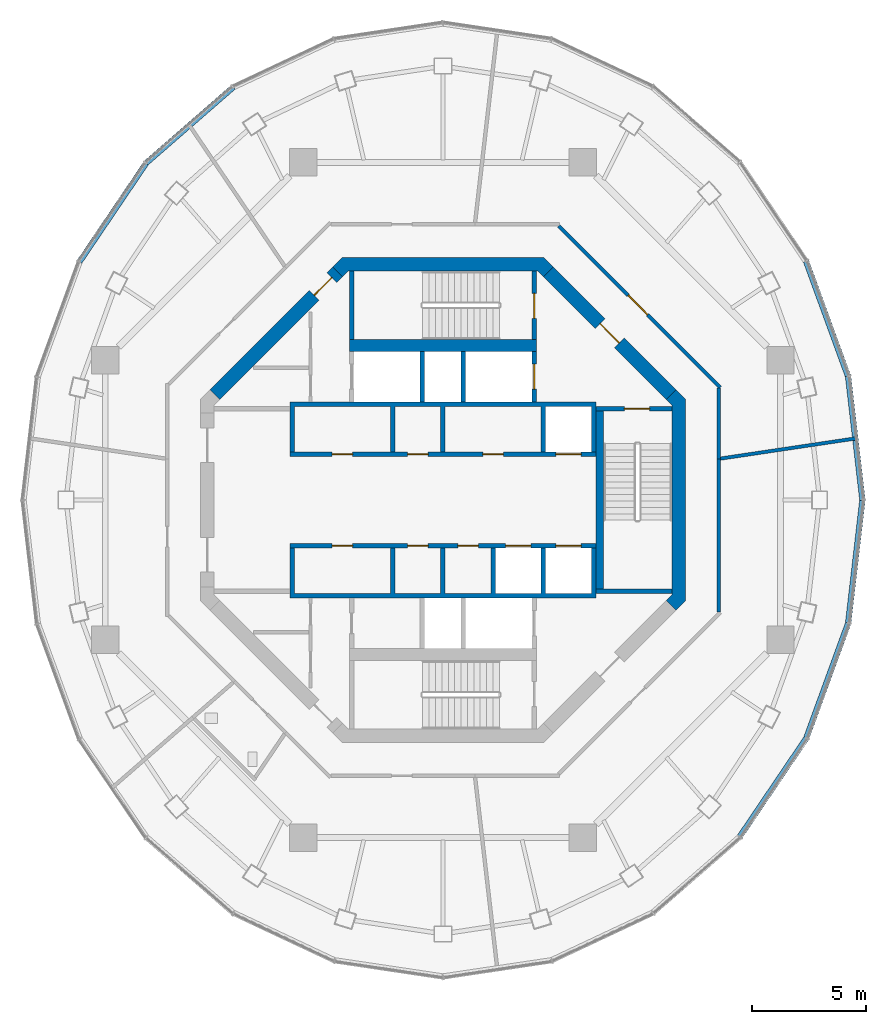
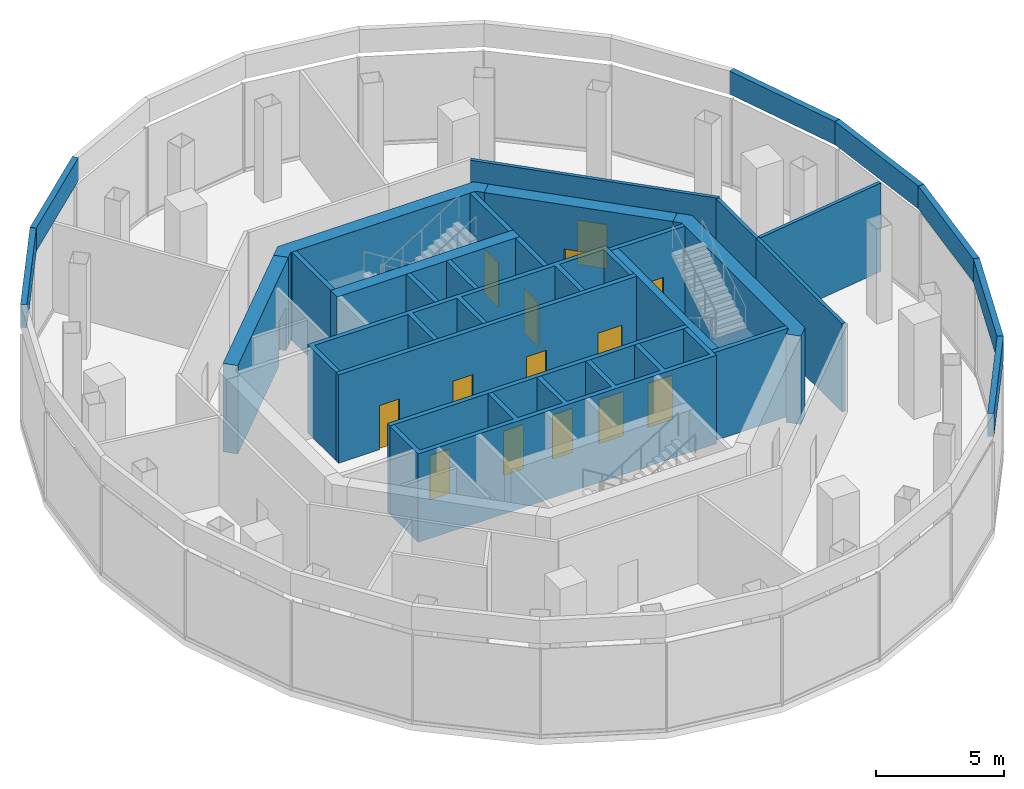
# One storey, part 8 of 11: 28 walls, 15 doors, 15 openings.
"""IFC4 building model written with IfcOpenShell, lengths in metres."""

from ifc_helpers import new_model, si_unit, direction, frame, frame_2d, origin, place, context, subcontext, project, spatial, polyline, rectangle, outline, extrude, material, layer, layer_set, type_object, element, fill, save


model = new_model("IFC4")

# Units and contexts
model_context = context("Model", 3, precision=1e-05, world=origin(), true_north=direction((0.0, 1.0)))
body_context = subcontext(model_context, "Body", "Model", "MODEL_VIEW")
ifc_project = project(units=[si_unit("LENGTHUNIT", "METRE"), si_unit("AREAUNIT", "SQUARE_METRE"), si_unit("VOLUMEUNIT", "CUBIC_METRE"), si_unit("PLANEANGLEUNIT", "RADIAN"), si_unit("MASSUNIT", "GRAM", prefix="KILO")], contexts=[model_context])

# Site, building, storey
site_placement = place(None, origin())
site = spatial("IfcSite", under=ifc_project, at=site_placement, CompositionType="ELEMENT")
building_placement = place(site_placement, origin())
building = spatial("IfcBuilding", under=site, at=building_placement, Name="Nagisa Residences", CompositionType="ELEMENT")
storey_placement = place(building_placement, frame((0.0, 0.0, 320.39990234375)))
storey = spatial("IfcBuildingStorey", under=building, at=storey_placement, Name="L79", CompositionType="ELEMENT", Elevation=320.39990234375)

# Wall, opening, door
ifc_material_1 = material(Name="Concrete C60", Category="concrete")
ifc_layer_1 = layer(ifc_material_1, 0.60009765625)
ifc_layer_set_1 = layer_set([ifc_layer_1], Name="Core shear wall 600")
wall_type_1 = type_object("IfcWallType", Name="Core shear wall 600", PredefinedType="SHEAR", material=ifc_layer_set_1)
wall_1_placement = place(storey_placement, frame((9.98828125, 4.613037109375, 0.0), z_axis=(0.0, 0.0, 1.0), x_axis=(-0.707106781187, 0.707106781187, 0.0)))
wall_1 = element("IfcWall", 1, at=wall_1_placement, inside=storey, type_object=wall_type_1, Name="wall:L79:core:flat1", PredefinedType="SHEAR", context=body_context, shape_type="SweptSolid", body=[
    extrude(rectangle(XDim=7.601806640625, YDim=0.60009765625, at=frame_2d((3.80078125, 0.0))), origin(), (0.0, 0.0, 1.0), 4.2001953125),
])
opening_1_placement = place(wall_1_placement, frame((3.200927734375, 0.0, 0.0)))
opening_1 = element("IfcOpeningElement", 2, at=opening_1_placement, cuts=wall_1, Name="Opening L79-C21", PredefinedType="OPENING", context=body_context, shape_type="SweptSolid", body=[
    extrude(rectangle(XDim=1.199951171875, YDim=2.10009765625, at=frame_2d((0.60009765625, 1.050048828125))), frame((0.0, 0.31005859375, 0.0), z_axis=(0.0, -1.0, 0.0), x_axis=(1.0, 0.0, 0.0)), (0.0, 0.0, 1.0), 0.6201171875),
])
ifc_material_2 = material(Name="Steel fire door", Category="steel")
door_type_1 = type_object("IfcDoorType", Name="Fire door EI60 1200x2100 single swing", OperationType="NOTDEFINED", PredefinedType="DOOR", material=ifc_material_2)
door_1_placement = place(opening_1_placement, origin())
door_1 = element("IfcDoor", 3, at=door_1_placement, inside=storey, type_object=door_type_1, Name="Firefighting lobby 1 door L79", OperationType="SINGLE_SWING_LEFT", OverallHeight=2.10009765625, OverallWidth=1.199951171875, PredefinedType="DOOR", context=body_context, shape_type="SweptSolid", body=[
    extrude(rectangle(XDim=1.199951171875, YDim=2.10009765625, at=frame_2d((0.60009765625, 1.050048828125))), frame((0.0, 0.02490234375, 0.0), z_axis=(0.0, -1.0, 0.0), x_axis=(1.0, 0.0, 0.0)), (0.0, 0.0, 1.0), 0.050048828125),
])
fill(opening_1, door_1)

wall_2_placement = place(storey_placement, frame((-4.613037109375, 9.98828125, 0.0), z_axis=(0.0, 0.0, 1.0), x_axis=(-0.707106781187, -0.707106781187, 0.0)))
wall_2 = element("IfcWall", 4, at=wall_2_placement, inside=storey, type_object=wall_type_1, Name="wall:L79:core:flat3", PredefinedType="SHEAR", context=body_context, shape_type="SweptSolid", body=[
    extrude(rectangle(XDim=7.601806640625, YDim=0.60009765625, at=frame_2d((3.80078125, 0.0))), origin(), (0.0, 0.0, 1.0), 4.2001953125),
])
opening_2_placement = place(wall_2_placement, frame((0.350830078125, 0.0, 0.0)))
opening_2 = element("IfcOpeningElement", 5, at=opening_2_placement, cuts=wall_2, Name="Opening L79-C25", PredefinedType="OPENING", context=body_context, shape_type="SweptSolid", body=[
    extrude(rectangle(XDim=1.10009765625, YDim=2.10009765625, at=frame_2d((0.550048828125, 1.050048828125))), frame((0.0, 0.31005859375, 0.0), z_axis=(0.0, -1.0, 0.0), x_axis=(1.0, 0.0, 0.0)), (0.0, 0.0, 1.0), 0.6201171875),
])
ifc_material_3 = material(Name="Steel fire door", Category="steel")
door_type_2 = type_object("IfcDoorType", Name="Fire door EI60 1100x2100 single swing", OperationType="NOTDEFINED", PredefinedType="DOOR", material=ifc_material_3)
door_2_placement = place(opening_2_placement, origin())
door_2 = element("IfcDoor", 6, at=door_2_placement, inside=storey, type_object=door_type_2, Name="Service lobby door L79", OperationType="SINGLE_SWING_LEFT", OverallHeight=2.10009765625, OverallWidth=1.10009765625, PredefinedType="DOOR", context=body_context, shape_type="SweptSolid", body=[
    extrude(rectangle(XDim=1.10009765625, YDim=2.10009765625, at=frame_2d((0.550048828125, 1.050048828125))), frame((0.0, 0.02490234375, 0.0), z_axis=(0.0, -1.0, 0.0), x_axis=(1.0, 0.0, 0.0)), (0.0, 0.0, 1.0), 0.050048828125),
])
fill(opening_2, door_2)

# Walls
wall_3_placement = place(storey_placement, origin())
element("IfcWall", 7, at=wall_3_placement, inside=storey, type_object=wall_type_1, Name="wall:L79:core:flat2", PredefinedType="SHEAR", context=body_context, shape_type="SweptSolid", body=[
    extrude(outline(polyline([(-4.15234375, 10.024658203125), (-4.40087890625, 9.776123046875), (-4.8251953125, 10.200439453125), (-4.40087890625, 10.62451171875), (4.40087890625, 10.62451171875), (4.8251953125, 10.200439453125), (4.40087890625, 9.776123046875), (4.15234375, 10.024658203125), (-4.15234375, 10.024658203125)])), origin(), (0.0, 0.0, 1.0), 4.2001953125),
])
wall_4_placement = place(storey_placement, origin())
element("IfcWall", 8, at=wall_4_placement, inside=storey, type_object=wall_type_1, Name="wall:L79:core:flat0", PredefinedType="SHEAR", context=body_context, shape_type="SweptSolid", body=[
    extrude(outline(polyline([(9.776123046875, -4.40087890625), (10.024658203125, -4.15234375), (10.024658203125, -3.801025390625), (10.024658203125, 4.15234375), (9.776123046875, 4.40087890625), (10.200439453125, 4.8251953125), (10.62451171875, 4.40087890625), (10.62451171875, -4.40087890625), (10.200439453125, -4.8251953125), (9.776123046875, -4.40087890625)])), origin(), (0.0, 0.0, 1.0), 4.2001953125),
])

# Wall, opening, door
ifc_material_4 = material(Name="Concrete C60", Category="concrete")
ifc_layer_2 = layer(ifc_material_4, 0.199951171875)
ifc_layer_set_2 = layer_set([ifc_layer_2], Name="Lift shaft wall 200")
wall_type_2 = type_object("IfcWallType", Name="Lift shaft wall 200", PredefinedType="SOLIDWALL", material=ifc_layer_set_2)
wall_5_placement = place(storey_placement, frame((4.0, 4.300048828125, 0.0), z_axis=(0.0, 0.0, 1.0), x_axis=(0.0, 1.0, 0.0)))
wall_5 = element("IfcWall", 9, at=wall_5_placement, inside=storey, type_object=wall_type_2, Name="wall:L79:Nb3", PredefinedType="SOLIDWALL", context=body_context, shape_type="SweptSolid", body=[
    extrude(rectangle(XDim=2.199951171875, YDim=0.199951171875, at=frame_2d((1.10009765625, 0.0))), origin(), (0.0, 0.0, 1.0), 4.2001953125),
])
opening_3_placement = place(wall_5_placement, frame((0.550048828125, 0.0, 0.0)))
opening_3 = element("IfcOpeningElement", 10, at=opening_3_placement, cuts=wall_5, Name="Opening L79-C04", PredefinedType="OPENING", context=body_context, shape_type="SweptSolid", body=[
    extrude(rectangle(XDim=1.10009765625, YDim=2.10009765625, at=frame_2d((0.550048828125, 1.050048828125))), frame((0.0, 0.10986328125, 0.0), z_axis=(0.0, -1.0, 0.0), x_axis=(1.0, 0.0, 0.0)), (0.0, 0.0, 1.0), 0.219970703125),
])
ifc_material_5 = material(Name="Stainless steel", Category="steel")
door_type_3 = type_object("IfcDoorType", Name="Lift landing door 1100x2100", OperationType="DOUBLE_DOOR_SLIDING", PredefinedType="DOOR", material=ifc_material_5)
door_3_placement = place(opening_3_placement, origin())
door_3 = element("IfcDoor", 11, at=door_3_placement, inside=storey, type_object=door_type_3, Name="Landing door FL1 L79", OperationType="DOUBLE_DOOR_SLIDING", OverallHeight=2.10009765625, OverallWidth=1.10009765625, PredefinedType="DOOR", context=body_context, shape_type="SweptSolid", body=[
    extrude(rectangle(XDim=1.10009765625, YDim=2.10009765625, at=frame_2d((0.550048828125, 1.050048828125))), frame((0.0, 0.02490234375, 0.0), z_axis=(0.0, -1.0, 0.0), x_axis=(1.0, 0.0, 0.0)), (0.0, 0.0, 1.0), 0.050048828125),
])
fill(opening_3, door_3)

# Wall, openings, doors
wall_6_placement = place(storey_placement, frame((-6.699951171875, 2.0, 0.0), z_axis=(0.0, 0.0, 1.0), x_axis=(1.0, 0.0, 0.0)))
wall_6 = element("IfcWall", 12, at=wall_6_placement, inside=storey, type_object=wall_type_2, Name="wall:L79:Nfront", PredefinedType="SOLIDWALL", context=body_context, shape_type="SweptSolid", body=[
    extrude(rectangle(XDim=13.39990234375, YDim=0.199951171875, at=frame_2d((6.699951171875, 0.0))), origin(), (0.0, 0.0, 1.0), 4.2001953125),
])
opening_4_placement = place(wall_6_placement, frame((11.64990234375, 0.0, 0.0)))
opening_4 = element("IfcOpeningElement", 13, at=opening_4_placement, cuts=wall_6, Name="Opening L79-C01", PredefinedType="OPENING", context=body_context, shape_type="SweptSolid", body=[
    extrude(rectangle(XDim=1.10009765625, YDim=2.10009765625, at=frame_2d((0.550048828125, 1.050048828125))), frame((0.0, 0.10986328125, 0.0), z_axis=(0.0, -1.0, 0.0), x_axis=(1.0, 0.0, 0.0)), (0.0, 0.0, 1.0), 0.219970703125),
])
opening_5_placement = place(wall_6_placement, frame((1.85009765625, 0.0, 0.0)))
opening_5 = element("IfcOpeningElement", 14, at=opening_5_placement, cuts=wall_6, Name="Opening L79-C15", PredefinedType="OPENING", context=body_context, shape_type="SweptSolid", body=[
    extrude(rectangle(XDim=0.89990234375, YDim=2.10009765625, at=frame_2d((0.449951171875, 1.050048828125))), frame((0.0, 0.10986328125, 0.0), z_axis=(0.0, -1.0, 0.0), x_axis=(1.0, 0.0, 0.0)), (0.0, 0.0, 1.0), 0.219970703125),
])
opening_6_placement = place(wall_6_placement, frame((5.14990234375, 0.0, 0.0)))
opening_6 = element("IfcOpeningElement", 15, at=opening_6_placement, cuts=wall_6, Name="Opening L79-C16", PredefinedType="OPENING", context=body_context, shape_type="SweptSolid", body=[
    extrude(rectangle(XDim=0.89990234375, YDim=2.10009765625, at=frame_2d((0.449951171875, 1.050048828125))), frame((0.0, 0.10986328125, 0.0), z_axis=(0.0, -1.0, 0.0), x_axis=(1.0, 0.0, 0.0)), (0.0, 0.0, 1.0), 0.219970703125),
])
opening_7_placement = place(wall_6_placement, frame((8.449951171875, 0.0, 0.0)))
opening_7 = element("IfcOpeningElement", 16, at=opening_7_placement, cuts=wall_6, Name="Opening L79-C17", PredefinedType="OPENING", context=body_context, shape_type="SweptSolid", body=[
    extrude(rectangle(XDim=0.89990234375, YDim=2.10009765625, at=frame_2d((0.449951171875, 1.050048828125))), frame((0.0, 0.10986328125, 0.0), z_axis=(0.0, -1.0, 0.0), x_axis=(1.0, 0.0, 0.0)), (0.0, 0.0, 1.0), 0.219970703125),
])
ifc_material_6 = material(Name="Steel fire door", Category="steel")
door_type_4 = type_object("IfcDoorType", Name="Fire door EI30 900x2100 single swing", OperationType="NOTDEFINED", PredefinedType="DOOR", material=ifc_material_6)
door_4_placement = place(opening_5_placement, origin())
door_4 = element("IfcDoor", 17, at=door_4_placement, inside=storey, type_object=door_type_4, Name="Chiller store door L79", OperationType="SINGLE_SWING_LEFT", OverallHeight=2.10009765625, OverallWidth=0.89990234375, PredefinedType="DOOR", context=body_context, shape_type="SweptSolid", body=[
    extrude(rectangle(XDim=0.89990234375, YDim=2.10009765625, at=frame_2d((0.449951171875, 1.050048828125))), frame((0.0, 0.02490234375, 0.0), z_axis=(0.0, -1.0, 0.0), x_axis=(1.0, 0.0, 0.0)), (0.0, 0.0, 1.0), 0.050048828125),
])
fill(opening_5, door_4)
door_5_placement = place(opening_6_placement, origin())
door_5 = element("IfcDoor", 18, at=door_5_placement, inside=storey, type_object=door_type_4, Name="Electrical room door L79", OperationType="SINGLE_SWING_LEFT", OverallHeight=2.10009765625, OverallWidth=0.89990234375, PredefinedType="DOOR", context=body_context, shape_type="SweptSolid", body=[
    extrude(rectangle(XDim=0.89990234375, YDim=2.10009765625, at=frame_2d((0.449951171875, 1.050048828125))), frame((0.0, 0.02490234375, 0.0), z_axis=(0.0, -1.0, 0.0), x_axis=(1.0, 0.0, 0.0)), (0.0, 0.0, 1.0), 0.050048828125),
])
fill(opening_6, door_5)
door_6_placement = place(opening_7_placement, origin())
door_6 = element("IfcDoor", 19, at=door_6_placement, inside=storey, type_object=door_type_4, Name="Chiller store door L79", OperationType="SINGLE_SWING_LEFT", OverallHeight=2.10009765625, OverallWidth=0.89990234375, PredefinedType="DOOR", context=body_context, shape_type="SweptSolid", body=[
    extrude(rectangle(XDim=0.89990234375, YDim=2.10009765625, at=frame_2d((0.449951171875, 1.050048828125))), frame((0.0, 0.02490234375, 0.0), z_axis=(0.0, -1.0, 0.0), x_axis=(1.0, 0.0, 0.0)), (0.0, 0.0, 1.0), 0.050048828125),
])
fill(opening_7, door_6)
door_7_placement = place(opening_4_placement, origin())
door_7 = element("IfcDoor", 20, at=door_7_placement, inside=storey, type_object=door_type_3, Name="Landing door C1 L79", OperationType="DOUBLE_DOOR_SLIDING", OverallHeight=2.10009765625, OverallWidth=1.10009765625, PredefinedType="DOOR", context=body_context, shape_type="SweptSolid", body=[
    extrude(rectangle(XDim=1.10009765625, YDim=2.10009765625, at=frame_2d((0.550048828125, 1.050048828125))), frame((0.0, 0.02490234375, 0.0), z_axis=(0.0, -1.0, 0.0), x_axis=(1.0, 0.0, 0.0)), (0.0, 0.0, 1.0), 0.050048828125),
])
fill(opening_4, door_7)

wall_7_placement = place(storey_placement, frame((-6.699951171875, -2.0, 0.0), z_axis=(0.0, 0.0, 1.0), x_axis=(1.0, 0.0, 0.0)))
wall_7 = element("IfcWall", 21, at=wall_7_placement, inside=storey, type_object=wall_type_2, Name="wall:L79:Sfront", PredefinedType="SOLIDWALL", context=body_context, shape_type="SweptSolid", body=[
    extrude(rectangle(XDim=13.39990234375, YDim=0.199951171875, at=frame_2d((6.699951171875, 0.0))), origin(), (0.0, 0.0, 1.0), 4.2001953125),
])
opening_8_placement = place(wall_7_placement, frame((9.449951171875, 0.0, 0.0)))
opening_8 = element("IfcOpeningElement", 22, at=opening_8_placement, cuts=wall_7, Name="Opening L79-C02", PredefinedType="OPENING", context=body_context, shape_type="SweptSolid", body=[
    extrude(rectangle(XDim=1.10009765625, YDim=2.10009765625, at=frame_2d((0.550048828125, 1.050048828125))), frame((0.0, 0.10986328125, 0.0), z_axis=(0.0, -1.0, 0.0), x_axis=(1.0, 0.0, 0.0)), (0.0, 0.0, 1.0), 0.219970703125),
])
opening_9_placement = place(wall_7_placement, frame((11.64990234375, 0.0, 0.0)))
opening_9 = element("IfcOpeningElement", 23, at=opening_9_placement, cuts=wall_7, Name="Opening L79-C03", PredefinedType="OPENING", context=body_context, shape_type="SweptSolid", body=[
    extrude(rectangle(XDim=1.10009765625, YDim=2.10009765625, at=frame_2d((0.550048828125, 1.050048828125))), frame((0.0, 0.10986328125, 0.0), z_axis=(0.0, -1.0, 0.0), x_axis=(1.0, 0.0, 0.0)), (0.0, 0.0, 1.0), 0.219970703125),
])
opening_10_placement = place(wall_7_placement, frame((1.85009765625, 0.0, 0.0)))
opening_10 = element("IfcOpeningElement", 24, at=opening_10_placement, cuts=wall_7, Name="Opening L79-C18", PredefinedType="OPENING", context=body_context, shape_type="SweptSolid", body=[
    extrude(rectangle(XDim=0.89990234375, YDim=2.10009765625, at=frame_2d((0.449951171875, 1.050048828125))), frame((0.0, 0.10986328125, 0.0), z_axis=(0.0, -1.0, 0.0), x_axis=(1.0, 0.0, 0.0)), (0.0, 0.0, 1.0), 0.219970703125),
])
opening_11_placement = place(wall_7_placement, frame((5.14990234375, 0.0, 0.0)))
opening_11 = element("IfcOpeningElement", 25, at=opening_11_placement, cuts=wall_7, Name="Opening L79-C19", PredefinedType="OPENING", context=body_context, shape_type="SweptSolid", body=[
    extrude(rectangle(XDim=0.89990234375, YDim=2.10009765625, at=frame_2d((0.449951171875, 1.050048828125))), frame((0.0, 0.10986328125, 0.0), z_axis=(0.0, -1.0, 0.0), x_axis=(1.0, 0.0, 0.0)), (0.0, 0.0, 1.0), 0.219970703125),
])
opening_12_placement = place(wall_7_placement, frame((7.35009765625, 0.0, 0.0)))
opening_12 = element("IfcOpeningElement", 26, at=opening_12_placement, cuts=wall_7, Name="Opening L79-C20", PredefinedType="OPENING", context=body_context, shape_type="SweptSolid", body=[
    extrude(rectangle(XDim=0.89990234375, YDim=2.10009765625, at=frame_2d((0.449951171875, 1.050048828125))), frame((0.0, 0.10986328125, 0.0), z_axis=(0.0, -1.0, 0.0), x_axis=(1.0, 0.0, 0.0)), (0.0, 0.0, 1.0), 0.219970703125),
])
door_8_placement = place(opening_10_placement, frame((0.89990234375, 0.0, 0.0), x_axis=(-1.0, 0.0, 0.0)))
door_8 = element("IfcDoor", 27, at=door_8_placement, inside=storey, type_object=door_type_4, Name="Electrical room door L79", OperationType="SINGLE_SWING_RIGHT", OverallHeight=2.10009765625, OverallWidth=0.89990234375, PredefinedType="DOOR", context=body_context, shape_type="SweptSolid", body=[
    extrude(rectangle(XDim=0.89990234375, YDim=2.10009765625, at=frame_2d((0.449951171875, 1.050048828125))), frame((0.0, 0.02490234375, 0.0), z_axis=(0.0, -1.0, 0.0), x_axis=(1.0, 0.0, 0.0)), (0.0, 0.0, 1.0), 0.050048828125),
])
fill(opening_10, door_8)
door_9_placement = place(opening_11_placement, frame((0.89990234375, 0.0, 0.0), x_axis=(-1.0, 0.0, 0.0)))
door_9 = element("IfcDoor", 28, at=door_9_placement, inside=storey, type_object=door_type_4, Name="Chiller store door L79", OperationType="SINGLE_SWING_RIGHT", OverallHeight=2.10009765625, OverallWidth=0.89990234375, PredefinedType="DOOR", context=body_context, shape_type="SweptSolid", body=[
    extrude(rectangle(XDim=0.89990234375, YDim=2.10009765625, at=frame_2d((0.449951171875, 1.050048828125))), frame((0.0, 0.02490234375, 0.0), z_axis=(0.0, -1.0, 0.0), x_axis=(1.0, 0.0, 0.0)), (0.0, 0.0, 1.0), 0.050048828125),
])
fill(opening_11, door_9)
door_10_placement = place(opening_12_placement, frame((0.89990234375, 0.0, 0.0), x_axis=(-1.0, 0.0, 0.0)))
door_10 = element("IfcDoor", 29, at=door_10_placement, inside=storey, type_object=door_type_4, Name="Electrical room door L79", OperationType="SINGLE_SWING_RIGHT", OverallHeight=2.10009765625, OverallWidth=0.89990234375, PredefinedType="DOOR", context=body_context, shape_type="SweptSolid", body=[
    extrude(rectangle(XDim=0.89990234375, YDim=2.10009765625, at=frame_2d((0.449951171875, 1.050048828125))), frame((0.0, 0.02490234375, 0.0), z_axis=(0.0, -1.0, 0.0), x_axis=(1.0, 0.0, 0.0)), (0.0, 0.0, 1.0), 0.050048828125),
])
fill(opening_12, door_10)
door_11_placement = place(opening_8_placement, origin())
door_11 = element("IfcDoor", 30, at=door_11_placement, inside=storey, type_object=door_type_3, Name="Landing door C2 L79", OperationType="DOUBLE_DOOR_SLIDING", OverallHeight=2.10009765625, OverallWidth=1.10009765625, PredefinedType="DOOR", context=body_context, shape_type="SweptSolid", body=[
    extrude(rectangle(XDim=1.10009765625, YDim=2.10009765625, at=frame_2d((0.550048828125, 1.050048828125))), frame((0.0, 0.02490234375, 0.0), z_axis=(0.0, -1.0, 0.0), x_axis=(1.0, 0.0, 0.0)), (0.0, 0.0, 1.0), 0.050048828125),
])
fill(opening_8, door_11)
door_12_placement = place(opening_9_placement, origin())
door_12 = element("IfcDoor", 31, at=door_12_placement, inside=storey, type_object=door_type_3, Name="Landing door C3 L79", OperationType="DOUBLE_DOOR_SLIDING", OverallHeight=2.10009765625, OverallWidth=1.10009765625, PredefinedType="DOOR", context=body_context, shape_type="SweptSolid", body=[
    extrude(rectangle(XDim=1.10009765625, YDim=2.10009765625, at=frame_2d((0.550048828125, 1.050048828125))), frame((0.0, 0.02490234375, 0.0), z_axis=(0.0, -1.0, 0.0), x_axis=(1.0, 0.0, 0.0)), (0.0, 0.0, 1.0), 0.050048828125),
])
fill(opening_9, door_12)

# Walls
for number, where, z_axis, x_axis, name in (
    (32, (-0.89990234375, 4.300048828125, 0.0), (0.0, 0.0, 1.0), (0.0, 1.0, 0.0), "wall:L79:Nb1"),
    (33, (0.89990234375, 4.300048828125, 0.0), (0.0, 0.0, 1.0), (0.0, 1.0, 0.0), "wall:L79:Nb2"),
):
    element("IfcWall", number, at=place(storey_placement, frame(where, z_axis=z_axis, x_axis=x_axis)), inside=storey, type_object=wall_type_2, Name=name, PredefinedType="SOLIDWALL", context=body_context, shape_type="SweptSolid", body=[
        extrude(rectangle(XDim=2.199951171875, YDim=0.199951171875, at=frame_2d((1.10009765625, 0.0))), origin(), (0.0, 0.0, 1.0), 4.2001953125),
    ])
wall_8_placement = place(storey_placement, origin())
element("IfcWall", 34, at=wall_8_placement, inside=storey, type_object=wall_type_2, Name="wall:L79:Nback", PredefinedType="SOLIDWALL", context=body_context, shape_type="SweptSolid", body=[
    extrude(outline(polyline([(-6.699951171875, 4.300048828125), (6.699951171875, 4.300048828125), (6.699951171875, 2.10009765625), (6.5, 2.10009765625), (6.5, 4.10009765625), (4.5, 4.10009765625), (4.5, 2.10009765625), (4.300048828125, 2.10009765625), (4.300048828125, 4.10009765625), (0.10009765625, 4.10009765625), (0.10009765625, 2.10009765625), (-0.10009765625, 2.10009765625), (-0.10009765625, 4.10009765625), (-2.10009765625, 4.10009765625), (-2.10009765625, 2.10009765625), (-2.300048828125, 2.10009765625), (-2.300048828125, 4.10009765625), (-6.5, 4.10009765625), (-6.5, 2.10009765625), (-6.699951171875, 2.10009765625), (-6.699951171875, 4.300048828125)])), origin(), (0.0, 0.0, 1.0), 4.2001953125),
])
wall_9_placement = place(storey_placement, origin())
element("IfcWall", 35, at=wall_9_placement, inside=storey, type_object=wall_type_2, Name="wall:L79:Sback", PredefinedType="SOLIDWALL", context=body_context, shape_type="SweptSolid", body=[
    extrude(outline(polyline([(-6.699951171875, -2.10009765625), (-6.5, -2.10009765625), (-6.5, -4.10009765625), (-2.300048828125, -4.10009765625), (-2.300048828125, -2.10009765625), (-2.10009765625, -2.10009765625), (-2.10009765625, -4.10009765625), (-0.10009765625, -4.10009765625), (-0.10009765625, -2.10009765625), (0.10009765625, -2.10009765625), (0.10009765625, -4.10009765625), (2.10009765625, -4.10009765625), (2.10009765625, -2.10009765625), (2.300048828125, -2.10009765625), (2.300048828125, -4.10009765625), (4.300048828125, -4.10009765625), (4.300048828125, -2.10009765625), (4.5, -2.10009765625), (4.5, -4.10009765625), (6.5, -4.10009765625), (6.5, -2.10009765625), (6.699951171875, -2.10009765625), (6.699951171875, -4.300048828125), (-6.699951171875, -4.300048828125), (-6.699951171875, -2.10009765625)])), origin(), (0.0, 0.0, 1.0), 4.2001953125),
])
ifc_material_7 = material(Name="Precast concrete C40/50", Category="concrete")
ifc_layer_3 = layer(ifc_material_7, 0.25)
ifc_layer_set_3 = layer_set([ifc_layer_3], Name="PARAPET 250")
wall_type_3 = type_object("IfcWallType", Name="PARAPET 250", PredefinedType="PARAPET", material=ifc_layer_set_3)
wall_10_placement = place(storey_placement, frame((18.375732421875, -0.014404296875, 4.5), z_axis=(0.0, 0.0, 1.0), x_axis=(-0.115204975707, 0.993341740577, 0.0)))
element("IfcWall", 36, at=wall_10_placement, inside=storey, type_object=wall_type_3, Name="parapet:L79:00", PredefinedType="PARAPET", context=body_context, shape_type="SweptSolid", body=[
    extrude(rectangle(XDim=5.4716796875, YDim=0.25, at=frame_2d((2.73583984375, 0.0))), origin(), (0.0, 0.0, 1.0), 1.10009765625),
])
wall_11_placement = place(storey_placement, frame((17.752197265625, 5.392333984375, 4.5), z_axis=(0.0, 0.0, 1.0), x_axis=(-0.342797263009, 0.939409408338, 0.0)))
element("IfcWall", 37, at=wall_11_placement, inside=storey, type_object=wall_type_3, Name="parapet:L79:01", PredefinedType="PARAPET", context=body_context, shape_type="SweptSolid", body=[
    extrude(rectangle(XDim=5.391357421875, YDim=0.25, at=frame_2d((2.69580078125, 0.0))), origin(), (0.0, 0.0, 1.0), 1.10009765625),
])
wall_12_placement = place(storey_placement, frame((-9.16796875, 18.09228515625, 4.5), z_axis=(0.0, 0.0, 1.0), x_axis=(-0.754036302734, -0.656832744432, 0.0)))
element("IfcWall", 38, at=wall_12_placement, inside=storey, type_object=wall_type_3, Name="parapet:L79:08", PredefinedType="PARAPET", context=body_context, shape_type="SweptSolid", body=[
    extrude(rectangle(XDim=5.0810546875, YDim=0.25, at=frame_2d((2.54052734375, 0.0))), origin(), (0.0, 0.0, 1.0), 1.10009765625),
])
for number, where, z_axis, x_axis, name in (
    (39, (-12.97802734375, 14.779296875, 4.5), (0.0, 0.0, 1.0), (-0.560011865881, -0.828484586503, 0.0), "parapet:L79:09"),
    (40, (12.97802734375, -14.779296875, 4.5), (0.0, 0.0, 1.0), (0.560011865881, 0.828484586503, 0.0), "parapet:L79:21"),
):
    element("IfcWall", number, at=place(storey_placement, frame(where, z_axis=z_axis, x_axis=x_axis)), inside=storey, type_object=wall_type_3, Name=name, PredefinedType="PARAPET", context=body_context, shape_type="SweptSolid", body=[
        extrude(rectangle(XDim=5.249755859375, YDim=0.25, at=frame_2d((2.625, 0.0))), origin(), (0.0, 0.0, 1.0), 1.10009765625),
    ])
wall_13_placement = place(storey_placement, frame((15.904052734375, -10.45703125, 4.5), z_axis=(0.0, 0.0, 1.0), x_axis=(0.342797263009, 0.939409408338, 0.0)))
element("IfcWall", 41, at=wall_13_placement, inside=storey, type_object=wall_type_3, Name="parapet:L79:22", PredefinedType="PARAPET", context=body_context, shape_type="SweptSolid", body=[
    extrude(rectangle(XDim=5.391357421875, YDim=0.25, at=frame_2d((2.69580078125, 0.0))), origin(), (0.0, 0.0, 1.0), 1.10009765625),
])
wall_14_placement = place(storey_placement, frame((17.745361328125, -5.4208984375, 4.5), z_axis=(0.0, 0.0, 1.0), x_axis=(0.115204975707, 0.993341740577, 0.0)))
element("IfcWall", 42, at=wall_14_placement, inside=storey, type_object=wall_type_3, Name="parapet:L79:23", PredefinedType="PARAPET", context=body_context, shape_type="SweptSolid", body=[
    extrude(rectangle(XDim=5.4716796875, YDim=0.25, at=frame_2d((2.73583984375, 0.0))), origin(), (0.0, 0.0, 1.0), 1.10009765625),
])

# Wall, opening, door
ifc_material_8 = material(Name="Gypsum board on steel studs", Category="steel")
ifc_layer_4 = layer(ifc_material_8, 0.14990234375)
ifc_layer_set_4 = layer_set([ifc_layer_4], Name="Room partition EI60 150")
wall_type_4 = type_object("IfcWallType", Name="Room partition EI60 150", PredefinedType="PARTITIONING", material=ifc_layer_set_4)
wall_15_placement = place(storey_placement, frame((5.076904296875, 12.0, 0.0), z_axis=(0.0, 0.0, 1.0), x_axis=(0.707106781187, -0.707106781187, 0.0)))
wall_15 = element("IfcWall", 43, at=wall_15_placement, inside=storey, type_object=wall_type_4, Name="wall:L79:am019", PredefinedType="PARTITIONING", context=body_context, shape_type="SweptSolid", body=[
    extrude(rectangle(XDim=10.002685546875, YDim=0.14990234375, at=frame_2d((5.00146484375, 0.0))), origin(), (0.0, 0.0, 1.0), 4.2001953125),
])
opening_13_placement = place(wall_15_placement, frame((4.29541015625, 0.0, 0.0)))
opening_13 = element("IfcOpeningElement", 44, at=opening_13_placement, cuts=wall_15, Name="Opening L79-A01", PredefinedType="OPENING", context=body_context, shape_type="SweptSolid", body=[
    extrude(rectangle(XDim=1.199951171875, YDim=2.10009765625, at=frame_2d((0.60009765625, 1.050048828125))), frame((0.0, 0.0849609375, 0.0), z_axis=(0.0, -1.0, 0.0), x_axis=(1.0, 0.0, 0.0)), (0.0, 0.0, 1.0), 0.169921875),
])
ifc_material_9 = material(Name="Steel fire door", Category="steel")
door_type_5 = type_object("IfcDoorType", Name="Fire door EI30 1200x2100 single swing", OperationType="NOTDEFINED", PredefinedType="DOOR", material=ifc_material_9)
door_13_placement = place(opening_13_placement, frame((1.199951171875, 0.0, 0.0), x_axis=(-1.0, 0.0, 0.0)))
door_13 = element("IfcDoor", 45, at=door_13_placement, inside=storey, type_object=door_type_5, Name="Owners' lounge door", OperationType="SINGLE_SWING_RIGHT", OverallHeight=2.10009765625, OverallWidth=1.199951171875, PredefinedType="DOOR", context=body_context, shape_type="SweptSolid", body=[
    extrude(rectangle(XDim=1.199951171875, YDim=2.10009765625, at=frame_2d((0.60009765625, 1.050048828125))), frame((0.0, 0.02490234375, 0.0), z_axis=(0.0, -1.0, 0.0), x_axis=(1.0, 0.0, 0.0)), (0.0, 0.0, 1.0), 0.050048828125),
])
fill(opening_13, door_13)

# Walls
wall_16_placement = place(storey_placement, frame((12.074951171875, 1.801025390625, 0.0), z_axis=(0.0, 0.0, 1.0), x_axis=(0.0, -1.0, 0.0)))
element("IfcWall", 46, at=wall_16_placement, inside=storey, type_object=wall_type_4, Name="wall:L79:am021", PredefinedType="PARTITIONING", context=body_context, shape_type="SweptSolid", body=[
    extrude(rectangle(XDim=6.696044921875, YDim=0.14990234375, at=frame_2d((3.34814453125, 0.0))), origin(), (0.0, 0.0, 1.0), 4.2001953125),
])
wall_17_placement = place(storey_placement, frame((12.074951171875, 4.89599609375, 0.0), z_axis=(0.0, 0.0, 1.0), x_axis=(0.0, -1.0, 0.0)))
element("IfcWall", 47, at=wall_17_placement, inside=storey, type_object=wall_type_4, Name="wall:L79:am022", PredefinedType="PARTITIONING", context=body_context, shape_type="SweptSolid", body=[
    extrude(rectangle(XDim=3.094970703125, YDim=0.14990234375, at=frame_2d((1.54736328125, 0.0))), origin(), (0.0, 0.0, 1.0), 4.2001953125),
])
wall_18_placement = place(storey_placement, frame((18.08642578125, 2.698486328125, 0.0), z_axis=(0.0, 0.0, 1.0), x_axis=(-0.989039934914, -0.147648254801, 0.0)))
element("IfcWall", 48, at=wall_18_placement, inside=storey, type_object=wall_type_4, Name="wall:L79:am023", PredefinedType="PARTITIONING", context=body_context, shape_type="SweptSolid", body=[
    extrude(rectangle(XDim=6.002197265625, YDim=0.14990234375, at=frame_2d((3.0009765625, 0.0))), origin(), (0.0, 0.0, 1.0), 4.2001953125),
])

# Wall, opening, door
ifc_material_10 = material(Name="Concrete C60", Category="concrete")
ifc_layer_5 = layer(ifc_material_10, 0.199951171875)
ifc_layer_set_5 = layer_set([ifc_layer_5], Name="Stair enclosure wall 200")
wall_type_5 = type_object("IfcWallType", Name="Stair enclosure wall 200", PredefinedType="SOLIDWALL", material=ifc_layer_set_5)
wall_19_placement = place(storey_placement, frame((6.699951171875, 4.0, 0.0), z_axis=(0.0, 0.0, 1.0), x_axis=(1.0, 0.0, 0.0)))
wall_19 = element("IfcWall", 49, at=wall_19_placement, inside=storey, type_object=wall_type_5, Name="wall:L79:SE_n", PredefinedType="SOLIDWALL", context=body_context, shape_type="SweptSolid", body=[
    extrude(rectangle(XDim=3.32470703125, YDim=0.199951171875, at=frame_2d((1.662353515625, 0.0))), origin(), (0.0, 0.0, 1.0), 4.2001953125),
])
opening_14_placement = place(wall_19_placement, frame((1.25, 0.0, 0.0)))
opening_14 = element("IfcOpeningElement", 50, at=opening_14_placement, cuts=wall_19, Name="Opening L79-C07", PredefinedType="OPENING", context=body_context, shape_type="SweptSolid", body=[
    extrude(rectangle(XDim=1.10009765625, YDim=2.10009765625, at=frame_2d((0.550048828125, 1.050048828125))), frame((0.0, 0.10986328125, 0.0), z_axis=(0.0, -1.0, 0.0), x_axis=(1.0, 0.0, 0.0)), (0.0, 0.0, 1.0), 0.219970703125),
])
ifc_material_11 = material(Name="Steel fire door", Category="steel")
door_type_6 = type_object("IfcDoorType", Name="Fire door EI90 1100x2100 single swing", OperationType="NOTDEFINED", PredefinedType="DOOR", material=ifc_material_11)
door_14_placement = place(opening_14_placement, frame((1.10009765625, 0.0, 0.0), x_axis=(-1.0, 0.0, 0.0)))
door_14 = element("IfcDoor", 51, at=door_14_placement, inside=storey, type_object=door_type_6, Name="Stair door ST-E L79", OperationType="SINGLE_SWING_RIGHT", OverallHeight=2.10009765625, OverallWidth=1.10009765625, PredefinedType="DOOR", context=body_context, shape_type="SweptSolid", body=[
    extrude(rectangle(XDim=1.10009765625, YDim=2.10009765625, at=frame_2d((0.550048828125, 1.050048828125))), frame((0.0, 0.02490234375, 0.0), z_axis=(0.0, -1.0, 0.0), x_axis=(1.0, 0.0, 0.0)), (0.0, 0.0, 1.0), 0.050048828125),
])
fill(opening_14, door_14)

wall_20_placement = place(storey_placement, frame((4.0, 7.024658203125, 0.0), z_axis=(0.0, 0.0, 1.0), x_axis=(0.0, 1.0, 0.0)))
wall_20 = element("IfcWall", 52, at=wall_20_placement, inside=storey, type_object=wall_type_5, Name="wall:L79:SN_e", PredefinedType="SOLIDWALL", context=body_context, shape_type="SweptSolid", body=[
    extrude(rectangle(XDim=3.0, YDim=0.199951171875, at=frame_2d((1.5, 0.0))), origin(), (0.0, 0.0, 1.0), 4.2001953125),
])
opening_15_placement = place(wall_20_placement, frame((0.92529296875, 0.0, 0.0)))
opening_15 = element("IfcOpeningElement", 53, at=opening_15_placement, cuts=wall_20, Name="Opening L79-C08", PredefinedType="OPENING", context=body_context, shape_type="SweptSolid", body=[
    extrude(rectangle(XDim=1.10009765625, YDim=2.10009765625, at=frame_2d((0.550048828125, 1.050048828125))), frame((0.0, 0.10986328125, 0.0), z_axis=(0.0, -1.0, 0.0), x_axis=(1.0, 0.0, 0.0)), (0.0, 0.0, 1.0), 0.219970703125),
])
door_15_placement = place(opening_15_placement, origin())
door_15 = element("IfcDoor", 54, at=door_15_placement, inside=storey, type_object=door_type_6, Name="Stair door ST-N L79", OperationType="SINGLE_SWING_LEFT", OverallHeight=2.10009765625, OverallWidth=1.10009765625, PredefinedType="DOOR", context=body_context, shape_type="SweptSolid", body=[
    extrude(rectangle(XDim=1.10009765625, YDim=2.10009765625, at=frame_2d((0.550048828125, 1.050048828125))), frame((0.0, 0.02490234375, 0.0), z_axis=(0.0, -1.0, 0.0), x_axis=(1.0, 0.0, 0.0)), (0.0, 0.0, 1.0), 0.050048828125),
])
fill(opening_15, door_15)

# Walls
wall_21_placement = place(storey_placement, origin())
element("IfcWall", 55, at=wall_21_placement, inside=storey, type_object=wall_type_5, Name="wall:L79:SN_w", PredefinedType="SOLIDWALL", context=body_context, shape_type="SweptSolid", body=[
    extrude(outline(polyline([(-3.89990234375, 7.024658203125), (-4.10009765625, 7.024658203125), (-4.10009765625, 10.024658203125), (-3.89990234375, 10.024658203125), (-3.89990234375, 7.024658203125)])), origin(), (0.0, 0.0, 1.0), 4.2001953125),
])
wall_22_placement = place(storey_placement, origin())
element("IfcWall", 56, at=wall_22_placement, inside=storey, type_object=wall_type_5, Name="wall:L79:SN_s", PredefinedType="SOLIDWALL", context=body_context, shape_type="SweptSolid", body=[
    extrude(outline(polyline([(4.10009765625, 6.5), (-4.10009765625, 6.5), (-4.10009765625, 7.024658203125), (4.10009765625, 7.024658203125), (4.10009765625, 6.5)])), origin(), (0.0, 0.0, 1.0), 4.2001953125),
])
wall_23_placement = place(storey_placement, origin())
element("IfcWall", 57, at=wall_23_placement, inside=storey, type_object=wall_type_5, Name="wall:L79:SE_w", PredefinedType="SOLIDWALL", context=body_context, shape_type="SweptSolid", body=[
    extrude(outline(polyline([(7.024658203125, -3.89990234375), (6.699951171875, -3.89990234375), (6.699951171875, 3.89990234375), (7.024658203125, 3.89990234375), (7.024658203125, -3.89990234375)])), origin(), (0.0, 0.0, 1.0), 4.2001953125),
])
wall_24_placement = place(storey_placement, origin())
element("IfcWall", 58, at=wall_24_placement, inside=storey, type_object=wall_type_5, Name="wall:L79:SE_s", PredefinedType="SOLIDWALL", context=body_context, shape_type="SweptSolid", body=[
    extrude(outline(polyline([(10.024658203125, -4.10009765625), (6.699951171875, -4.10009765625), (6.699951171875, -3.89990234375), (10.024658203125, -3.89990234375), (10.024658203125, -4.10009765625)])), origin(), (0.0, 0.0, 1.0), 4.2001953125),
])

save(model, "model.ifc")
